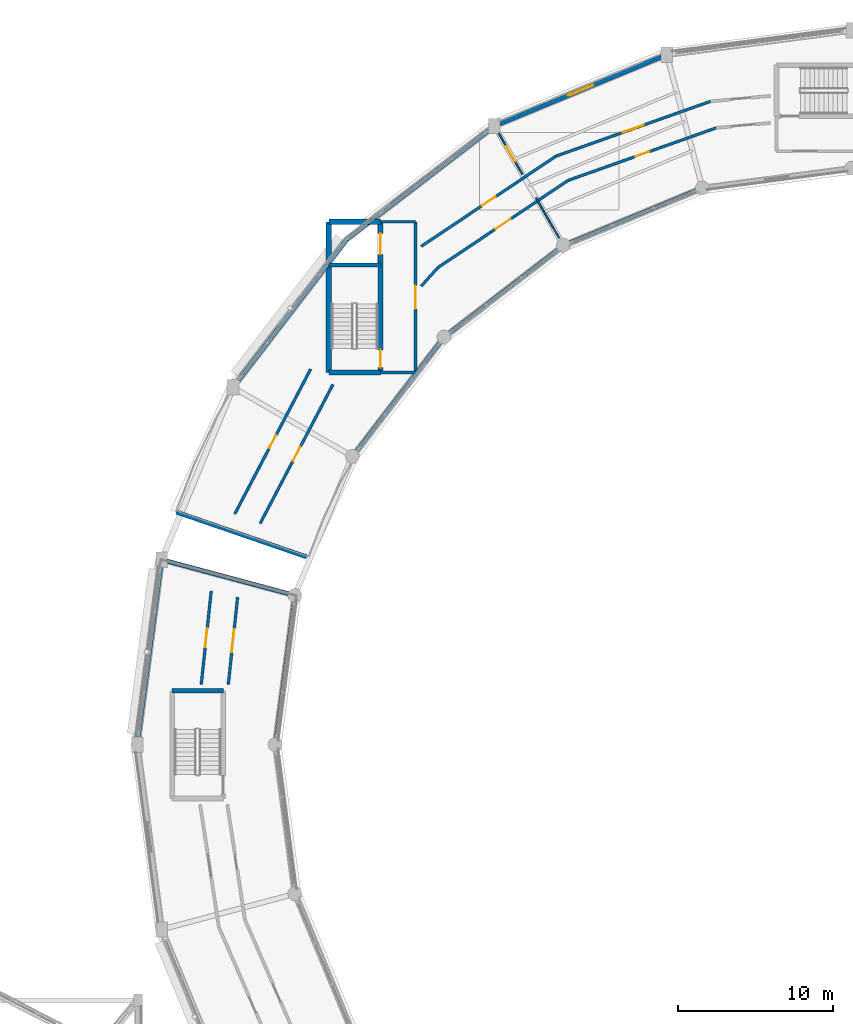
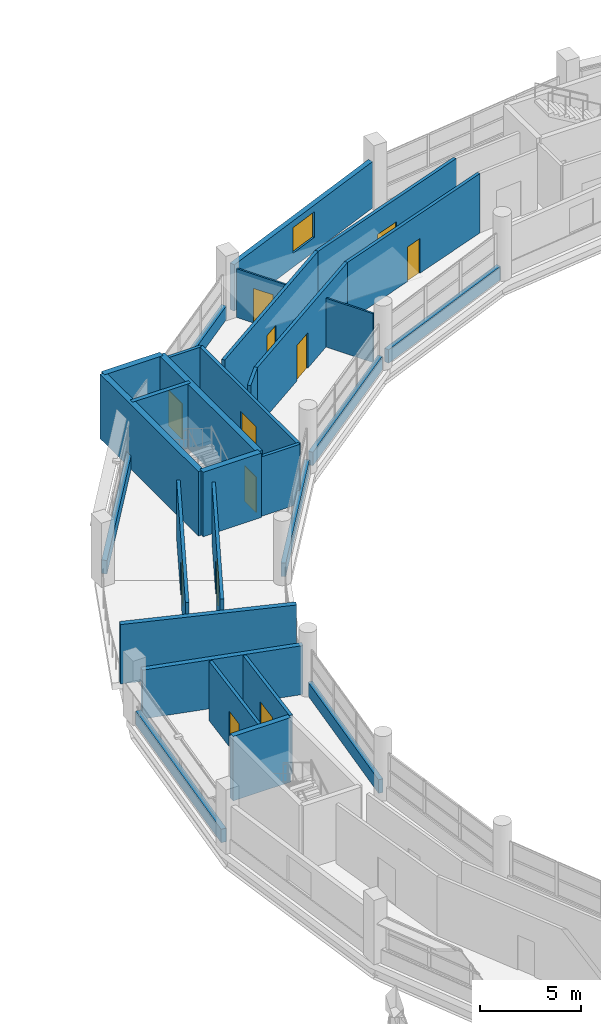
# One storey, part 93 of 108: 30 walls, 12 doors, 1 window, 13 openings.
"""IFC4 building model written with IfcOpenShell, lengths in metres."""

from ifc_helpers import new_model, si_unit, direction, frame, frame_2d, origin, place, context, subcontext, project, spatial, rectangle, extrude, material, layer, layer_set, type_object, element, fill, save


model = new_model("IFC4")

# Units and contexts
model_context = context("Model", 3, precision=1e-05, world=origin(), true_north=direction((0.0, 1.0)))
body_context = subcontext(model_context, "Body", "Model", "MODEL_VIEW")
ifc_project = project(units=[si_unit("LENGTHUNIT", "METRE"), si_unit("AREAUNIT", "SQUARE_METRE"), si_unit("VOLUMEUNIT", "CUBIC_METRE"), si_unit("PLANEANGLEUNIT", "RADIAN"), si_unit("MASSUNIT", "GRAM", prefix="KILO")], contexts=[model_context])

# Site, building, storey
site_placement = place(None, origin())
site = spatial("IfcSite", under=ifc_project, at=site_placement, CompositionType="ELEMENT")
building_placement = place(site_placement, origin())
building = spatial("IfcBuilding", under=site, at=building_placement, Name="Vespera Passage Community Centre", CompositionType="ELEMENT")
storey_placement = place(building_placement, frame((0.0, 0.0, 12.60009765625)))
storey = spatial("IfcBuildingStorey", under=building, at=storey_placement, Name="L03", CompositionType="ELEMENT", Elevation=12.60009765625)

# Wall
ifc_material_1 = material(Name="Concrete f'c 45 MPa", Category="concrete")
ifc_layer_1 = layer(ifc_material_1, 0.300048828125)
ifc_layer_set_1 = layer_set([ifc_layer_1], Name="Concrete f'c 45 MPa")
wall_type_1 = type_object("IfcWallType", Name="WT-CORE-300I", PredefinedType="SHEAR", material=ifc_layer_set_1)
wall_1_placement = place(storey_placement, frame((34.14990234375, 68.97509765625, 0.0), z_axis=(0.0, 0.0, 1.0), x_axis=(1.0, 0.0, 0.0)))
element("IfcWall", 1, at=wall_1_placement, inside=storey, type_object=wall_type_1, Name="Core C2 L03 Shear Wall RIGHT", PredefinedType="SHEAR", context=body_context, shape_type="SweptSolid", body=[
    extrude(rectangle(XDim=3.300048828125, YDim=0.300048828125, at=frame_2d((1.64990234375, 0.0))), origin(), (0.0, 0.0, 1.0), 3.89990234375),
])

# Wall, openings, doors
ifc_material_2 = material(Name="Concrete f'c 45 MPa", Category="concrete")
ifc_layer_2 = layer(ifc_material_2, 0.340087890625)
ifc_layer_set_2 = layer_set([ifc_layer_2], Name="Concrete f'c 45 MPa")
wall_type_2 = type_object("IfcWallType", Name="WT-CORE-340I", PredefinedType="SHEAR", material=ifc_layer_set_2)
wall_2_placement = place(storey_placement, frame((47.60302734375, 99.238037109375, 0.0), z_axis=(0.0, 0.0, 1.0), x_axis=(0.0, -1.0, 0.0)))
wall_2 = element("IfcWall", 2, at=wall_2_placement, inside=storey, type_object=wall_type_2, Name="Core C1 L03 Shear Wall FRONT", PredefinedType="SHEAR", context=body_context, shape_type="SweptSolid", body=[
    extrude(rectangle(XDim=9.72998046875, YDim=0.340087890625, at=frame_2d((4.864990234375, 0.0))), origin(), (0.0, 0.0, 1.0), 3.89990234375),
])
opening_1_placement = place(wall_2_placement, frame((8.264892578125, 0.0, 0.0)))
opening_1 = element("IfcOpeningElement", 3, at=opening_1_placement, cuts=wall_2, Name="Opening DT-STAIR-90", PredefinedType="OPENING", context=body_context, shape_type="SweptSolid", body=[
    extrude(rectangle(XDim=1.14990234375, YDim=2.14990234375, at=frame_2d((0.574951171875, 1.074951171875))), frame((0.0, 0.179931640625, 0.0), z_axis=(0.0, -1.0, 0.0), x_axis=(1.0, 0.0, 0.0)), (0.0, 0.0, 1.0), 0.360107421875),
])
opening_2_placement = place(wall_2_placement, frame((0.7451171875, 0.0, 0.0)))
opening_2 = element("IfcOpeningElement", 4, at=opening_2_placement, cuts=wall_2, Name="Opening DT-LIFT-135", PredefinedType="OPENING", context=body_context, shape_type="SweptSolid", body=[
    extrude(rectangle(XDim=1.35009765625, YDim=2.14990234375, at=frame_2d((0.675048828125, 1.074951171875))), frame((0.0, 0.179931640625, 0.0), z_axis=(0.0, -1.0, 0.0), x_axis=(1.0, 0.0, 0.0)), (0.0, 0.0, 1.0), 0.360107421875),
])
ifc_material_3 = material(Name="Painted hollow-metal acoustic door", Category="steel")
door_type_1 = type_object("IfcDoorType", Name="DT-LIFT-135", OperationType="NOTDEFINED", PredefinedType="DOOR", material=ifc_material_3)
door_1_placement = place(opening_2_placement, origin())
door_1 = element("IfcDoor", 5, at=door_1_placement, inside=storey, type_object=door_type_1, Name="Elevator EL-03 L03 Landing Door LD-005", OperationType="SLIDING_TO_LEFT", OverallHeight=2.14990234375, OverallWidth=1.35009765625, PredefinedType="DOOR", context=body_context, shape_type="SweptSolid", body=[
    extrude(rectangle(XDim=1.35009765625, YDim=2.14990234375, at=frame_2d((0.675048828125, 1.074951171875))), frame((0.0, 0.02490234375, 0.0), z_axis=(0.0, -1.0, 0.0), x_axis=(1.0, 0.0, 0.0)), (0.0, 0.0, 1.0), 0.050048828125),
])
fill(opening_2, door_1)
ifc_material_4 = material(Name="Painted hollow-metal acoustic door", Category="steel")
door_type_2 = type_object("IfcDoorType", Name="DT-STAIR-90", OperationType="NOTDEFINED", PredefinedType="DOOR", material=ifc_material_4)
door_2_placement = place(opening_1_placement, origin())
door_2 = element("IfcDoor", 6, at=door_2_placement, inside=storey, type_object=door_type_2, Name="Core C1 L03 Exit Stair Door D-056", OperationType="SINGLE_SWING_RIGHT", OverallHeight=2.14990234375, OverallWidth=1.14990234375, PredefinedType="DOOR", context=body_context, shape_type="SweptSolid", body=[
    extrude(rectangle(XDim=1.14990234375, YDim=2.14990234375, at=frame_2d((0.574951171875, 1.074951171875))), frame((0.0, 0.02490234375, 0.0), z_axis=(0.0, -1.0, 0.0), x_axis=(1.0, 0.0, 0.0)), (0.0, 0.0, 1.0), 0.050048828125),
])
fill(opening_1, door_2)

# Walls
wall_3_placement = place(storey_placement, frame((47.60302734375, 89.508056640625, 0.0), z_axis=(0.0, 0.0, 1.0), x_axis=(-1.0, 0.0, 0.0)))
element("IfcWall", 7, at=wall_3_placement, inside=storey, type_object=wall_type_2, Name="Core C1 L03 Shear Wall LEFT", PredefinedType="SHEAR", context=body_context, shape_type="SweptSolid", body=[
    extrude(rectangle(XDim=3.340087890625, YDim=0.340087890625, at=frame_2d((1.669921875, 0.0))), origin(), (0.0, 0.0, 1.0), 3.89990234375),
])
wall_4_placement = place(storey_placement, frame((44.262939453125, 89.508056640625, 0.0), z_axis=(0.0, 0.0, 1.0), x_axis=(0.0, 1.0, 0.0)))
element("IfcWall", 8, at=wall_4_placement, inside=storey, type_object=wall_type_2, Name="Core C1 L03 Shear Wall BACK", PredefinedType="SHEAR", context=body_context, shape_type="SweptSolid", body=[
    extrude(rectangle(XDim=9.72998046875, YDim=0.340087890625, at=frame_2d((4.864990234375, 0.0))), origin(), (0.0, 0.0, 1.0), 3.89990234375),
])
wall_5_placement = place(storey_placement, frame((44.262939453125, 99.238037109375, 0.0), z_axis=(0.0, 0.0, 1.0), x_axis=(1.0, 0.0, 0.0)))
element("IfcWall", 9, at=wall_5_placement, inside=storey, type_object=wall_type_2, Name="Core C1 L03 Shear Wall RIGHT", PredefinedType="SHEAR", context=body_context, shape_type="SweptSolid", body=[
    extrude(rectangle(XDim=3.340087890625, YDim=0.340087890625, at=frame_2d((1.669921875, 0.0))), origin(), (0.0, 0.0, 1.0), 3.89990234375),
])

# Wall, opening, door
ifc_material_5 = material(Name="Gypsum board acoustic stud partition")
ifc_layer_3 = layer(ifc_material_5, 0.179931640625)
ifc_layer_set_3 = layer_set([ifc_layer_3], Name="Gypsum board acoustic stud partition")
wall_type_3 = type_object("IfcWallType", Name="WT-CORR-180I", PredefinedType="PARTITIONING", material=ifc_layer_set_3)
wall_6_placement = place(storey_placement, frame((49.85302734375, 89.508056640625, 0.0), z_axis=(0.0, 0.0, 1.0), x_axis=(0.0, 1.0, 0.0)))
wall_6 = element("IfcWall", 10, at=wall_6_placement, inside=storey, type_object=wall_type_3, Name="Core C1 L03 Lift Lobby Front Wall", PredefinedType="PARTITIONING", context=body_context, shape_type="SweptSolid", body=[
    extrude(rectangle(XDim=9.72998046875, YDim=0.179931640625, at=frame_2d((4.864990234375, 0.0))), origin(), (0.0, 0.0, 1.0), 3.594970703125),
])
opening_3_placement = place(wall_6_placement, frame((4.114990234375, 0.0, 0.0)))
opening_3 = element("IfcOpeningElement", 11, at=opening_3_placement, cuts=wall_6, Name="Opening DT-CORR-150", PredefinedType="OPENING", context=body_context, shape_type="SweptSolid", body=[
    extrude(rectangle(XDim=1.5, YDim=2.14990234375, at=frame_2d((0.75, 1.074951171875))), frame((0.0, 0.099853515625, 0.0), z_axis=(0.0, -1.0, 0.0), x_axis=(1.0, 0.0, 0.0)), (0.0, 0.0, 1.0), 0.199951171875),
])
ifc_material_6 = material(Name="Painted hollow-metal acoustic door", Category="steel")
door_type_3 = type_object("IfcDoorType", Name="DT-CORR-150", OperationType="NOTDEFINED", PredefinedType="DOOR", material=ifc_material_6)
door_3_placement = place(opening_3_placement, origin())
door_3 = element("IfcDoor", 12, at=door_3_placement, inside=storey, type_object=door_type_3, Name="Core C1 L03 Lift Lobby Door D-057", OperationType="SINGLE_SWING_LEFT", OverallHeight=2.14990234375, OverallWidth=1.5, PredefinedType="DOOR", context=body_context, shape_type="SweptSolid", body=[
    extrude(rectangle(XDim=1.5, YDim=2.14990234375, at=frame_2d((0.75, 1.074951171875))), frame((0.0, 0.02490234375, 0.0), z_axis=(0.0, -1.0, 0.0), x_axis=(1.0, 0.0, 0.0)), (0.0, 0.0, 1.0), 0.050048828125),
])
fill(opening_3, door_3)

# Walls
for number, where, z_axis, x_axis, name in (
    (13, (47.60302734375, 89.508056640625, 0.0), (0.0, 0.0, 1.0), (1.0, 0.0, 0.0), "Core C1 L03 Lift Lobby Side Wall L"),
    (14, (47.60302734375, 99.238037109375, 0.0), (0.0, 0.0, 1.0), (1.0, 0.0, 0.0), "Core C1 L03 Lift Lobby Side Wall R"),
):
    element("IfcWall", number, at=place(storey_placement, frame(where, z_axis=z_axis, x_axis=x_axis)), inside=storey, type_object=wall_type_3, Name=name, PredefinedType="PARTITIONING", context=body_context, shape_type="SweptSolid", body=[
        extrude(rectangle(XDim=2.25, YDim=0.179931640625, at=frame_2d((1.125, 0.0))), origin(), (0.0, 0.0, 1.0), 3.594970703125),
    ])

# Wall, opening, door
wall_7_placement = place(storey_placement, frame((68.8818359375, 107.01025390625, 0.0), z_axis=(0.0, 0.0, 1.0), x_axis=(-0.942485767708, -0.334246282954, 0.0)))
wall_7 = element("IfcWall", 15, at=wall_7_placement, inside=storey, type_object=wall_type_3, Name="L03 Interior Partition V4-L03-CO06.1", PredefinedType="PARTITIONING", context=body_context, shape_type="SweptSolid", body=[
    extrude(rectangle(XDim=10.563232421875, YDim=0.179931640625, at=frame_2d((5.28173828125, 0.0))), origin(), (0.0, 0.0, 1.0), 3.594970703125),
])
opening_4_placement = place(wall_7_placement, frame((4.556640625, 0.0, 0.0)))
opening_4 = element("IfcOpeningElement", 16, at=opening_4_placement, cuts=wall_7, Name="Opening DT-PLANT-145", PredefinedType="OPENING", context=body_context, shape_type="SweptSolid", body=[
    extrude(rectangle(XDim=1.449951171875, YDim=2.199951171875, at=frame_2d((0.72509765625, 1.10009765625))), frame((0.0, 0.099853515625, 0.0), z_axis=(0.0, -1.0, 0.0), x_axis=(1.0, 0.0, 0.0)), (0.0, 0.0, 1.0), 0.199951171875),
])
ifc_material_7 = material(Name="Painted hollow-metal acoustic door", Category="steel")
door_type_4 = type_object("IfcDoorType", Name="DT-PLANT-145", OperationType="NOTDEFINED", PredefinedType="DOOR", material=ifc_material_7)
door_4_placement = place(opening_4_placement, origin())
door_4 = element("IfcDoor", 17, at=door_4_placement, inside=storey, type_object=door_type_4, Name="L03 Interior Door D-232", OperationType="SINGLE_SWING_RIGHT", OverallHeight=2.199951171875, OverallWidth=1.449951171875, PredefinedType="DOOR", context=body_context, shape_type="SweptSolid", body=[
    extrude(rectangle(XDim=1.449951171875, YDim=2.199951171875, at=frame_2d((0.72509765625, 1.10009765625))), frame((0.0, 0.02490234375, 0.0), z_axis=(0.0, -1.0, 0.0), x_axis=(1.0, 0.0, 0.0)), (0.0, 0.0, 1.0), 0.050048828125),
])
fill(opening_4, door_4)

wall_8_placement = place(storey_placement, frame((69.25732421875, 105.301025390625, 0.0), z_axis=(0.0, 0.0, 1.0), x_axis=(-0.942482379954, -0.334255835366, 0.0)))
wall_8 = element("IfcWall", 18, at=wall_8_placement, inside=storey, type_object=wall_type_3, Name="L03 Interior Partition V4-L03-CI06.1", PredefinedType="PARTITIONING", context=body_context, shape_type="SweptSolid", body=[
    extrude(rectangle(XDim=10.12841796875, YDim=0.179931640625, at=frame_2d((5.064208984375, 0.0))), origin(), (0.0, 0.0, 1.0), 3.594970703125),
])
opening_5_placement = place(wall_8_placement, frame((4.589111328125, 0.0, 0.0)))
opening_5 = element("IfcOpeningElement", 19, at=opening_5_placement, cuts=wall_8, Name="Opening DT-CORR-95", PredefinedType="OPENING", context=body_context, shape_type="SweptSolid", body=[
    extrude(rectangle(XDim=0.949951171875, YDim=2.10009765625, at=frame_2d((0.47509765625, 1.050048828125))), frame((0.0, 0.099853515625, 0.0), z_axis=(0.0, -1.0, 0.0), x_axis=(1.0, 0.0, 0.0)), (0.0, 0.0, 1.0), 0.199951171875),
])
ifc_material_8 = material(Name="Painted hollow-metal acoustic door", Category="steel")
door_type_5 = type_object("IfcDoorType", Name="DT-CORR-95", OperationType="NOTDEFINED", PredefinedType="DOOR", material=ifc_material_8)
door_5_placement = place(opening_5_placement, origin())
door_5 = element("IfcDoor", 20, at=door_5_placement, inside=storey, type_object=door_type_5, Name="L03 Interior Door D-233", OperationType="SINGLE_SWING_LEFT", OverallHeight=2.10009765625, OverallWidth=0.949951171875, PredefinedType="DOOR", context=body_context, shape_type="SweptSolid", body=[
    extrude(rectangle(XDim=0.949951171875, YDim=2.10009765625, at=frame_2d((0.47509765625, 1.050048828125))), frame((0.0, 0.02490234375, 0.0), z_axis=(0.0, -1.0, 0.0), x_axis=(1.0, 0.0, 0.0)), (0.0, 0.0, 1.0), 0.050048828125),
])
fill(opening_5, door_5)

wall_9_placement = place(storey_placement, frame((58.926025390625, 103.4794921875, 0.0), z_axis=(0.0, 0.0, 1.0), x_axis=(-0.83093334765, -0.556371972482, 0.0)))
wall_9 = element("IfcWall", 21, at=wall_9_placement, inside=storey, type_object=wall_type_3, Name="L03 Interior Partition V4-L03-CO07.1", PredefinedType="PARTITIONING", context=body_context, shape_type="SweptSolid", body=[
    extrude(rectangle(XDim=10.473876953125, YDim=0.179931640625, at=frame_2d((5.23681640625, 0.0))), origin(), (0.0, 0.0, 1.0), 3.594970703125),
])
opening_6_placement = place(wall_9_placement, frame((4.7119140625, 0.0, 0.0)))
opening_6 = element("IfcOpeningElement", 22, at=opening_6_placement, cuts=wall_9, Name="Opening DT-CORR-105", PredefinedType="OPENING", context=body_context, shape_type="SweptSolid", body=[
    extrude(rectangle(XDim=1.050048828125, YDim=2.10009765625, at=frame_2d((0.52490234375, 1.050048828125))), frame((0.0, 0.099853515625, 0.0), z_axis=(0.0, -1.0, 0.0), x_axis=(1.0, 0.0, 0.0)), (0.0, 0.0, 1.0), 0.199951171875),
])
ifc_material_9 = material(Name="Painted hollow-metal acoustic door", Category="steel")
door_type_6 = type_object("IfcDoorType", Name="DT-CORR-105", OperationType="NOTDEFINED", PredefinedType="DOOR", material=ifc_material_9)
door_6_placement = place(opening_6_placement, origin())
door_6 = element("IfcDoor", 23, at=door_6_placement, inside=storey, type_object=door_type_6, Name="L03 Interior Door D-234", OperationType="SINGLE_SWING_RIGHT", OverallHeight=2.10009765625, OverallWidth=1.050048828125, PredefinedType="DOOR", context=body_context, shape_type="SweptSolid", body=[
    extrude(rectangle(XDim=1.050048828125, YDim=2.10009765625, at=frame_2d((0.52490234375, 1.050048828125))), frame((0.0, 0.02490234375, 0.0), z_axis=(0.0, -1.0, 0.0), x_axis=(1.0, 0.0, 0.0)), (0.0, 0.0, 1.0), 0.050048828125),
])
fill(opening_6, door_6)

wall_10_placement = place(storey_placement, frame((59.71142578125, 101.91552734375, 0.0), z_axis=(0.0, 0.0, 1.0), x_axis=(-0.830928668574, -0.556378960549, 0.0)))
wall_10 = element("IfcWall", 24, at=wall_10_placement, inside=storey, type_object=wall_type_3, Name="L03 Interior Partition V4-L03-CI07.1", PredefinedType="PARTITIONING", context=body_context, shape_type="SweptSolid", body=[
    extrude(rectangle(XDim=10.12841796875, YDim=0.179931640625, at=frame_2d((5.064208984375, 0.0))), origin(), (0.0, 0.0, 1.0), 3.594970703125),
])
opening_7_placement = place(wall_10_placement, frame((4.464111328125, 0.0, 0.0)))
opening_7 = element("IfcOpeningElement", 25, at=opening_7_placement, cuts=wall_10, Name="Opening DT-CORR-120", PredefinedType="OPENING", context=body_context, shape_type="SweptSolid", body=[
    extrude(rectangle(XDim=1.199951171875, YDim=2.14990234375, at=frame_2d((0.60009765625, 1.074951171875))), frame((0.0, 0.099853515625, 0.0), z_axis=(0.0, -1.0, 0.0), x_axis=(1.0, 0.0, 0.0)), (0.0, 0.0, 1.0), 0.199951171875),
])
ifc_material_10 = material(Name="Painted hollow-metal acoustic door", Category="steel")
door_type_7 = type_object("IfcDoorType", Name="DT-CORR-120", OperationType="NOTDEFINED", PredefinedType="DOOR", material=ifc_material_10)
door_7_placement = place(opening_7_placement, origin())
door_7 = element("IfcDoor", 26, at=door_7_placement, inside=storey, type_object=door_type_7, Name="L03 Interior Door D-235", OperationType="SINGLE_SWING_LEFT", OverallHeight=2.14990234375, OverallWidth=1.199951171875, PredefinedType="DOOR", context=body_context, shape_type="SweptSolid", body=[
    extrude(rectangle(XDim=1.199951171875, YDim=2.14990234375, at=frame_2d((0.60009765625, 1.074951171875))), frame((0.0, 0.02490234375, 0.0), z_axis=(0.0, -1.0, 0.0), x_axis=(1.0, 0.0, 0.0)), (0.0, 0.0, 1.0), 0.050048828125),
])
fill(opening_7, door_7)

# Wall
wall_11_placement = place(storey_placement, frame((51.29541015625, 96.2802734375, 0.0), z_axis=(0.0, 0.0, 1.0), x_axis=(-0.668065235736, -0.744102708503, 0.0)))
element("IfcWall", 27, at=wall_11_placement, inside=storey, type_object=wall_type_3, Name="L03 Interior Partition V4-L03-CI08.1", PredefinedType="PARTITIONING", context=body_context, shape_type="SweptSolid", body=[
    extrude(rectangle(XDim=1.60546875, YDim=0.179931640625, at=frame_2d((0.802734375, 0.0))), origin(), (0.0, 0.0, 1.0), 3.594970703125),
])

# Wall, opening, door
wall_12_placement = place(storey_placement, frame((43.091796875, 89.74169921875, 0.0), z_axis=(0.0, 0.0, 1.0), x_axis=(-0.463905084728, -0.885884909208, 0.0)))
wall_12 = element("IfcWall", 28, at=wall_12_placement, inside=storey, type_object=wall_type_3, Name="L03 Interior Partition V4-L03-CO09.1", PredefinedType="PARTITIONING", context=body_context, shape_type="SweptSolid", body=[
    extrude(rectangle(XDim=10.563232421875, YDim=0.179931640625, at=frame_2d((5.28173828125, 0.0))), origin(), (0.0, 0.0, 1.0), 3.594970703125),
])
opening_8_placement = place(wall_12_placement, frame((4.806640625, 0.0, 0.0)))
opening_8 = element("IfcOpeningElement", 29, at=opening_8_placement, cuts=wall_12, Name="Opening DT-CORR-95", PredefinedType="OPENING", context=body_context, shape_type="SweptSolid", body=[
    extrude(rectangle(XDim=0.949951171875, YDim=2.10009765625, at=frame_2d((0.47509765625, 1.050048828125))), frame((0.0, 0.099853515625, 0.0), z_axis=(0.0, -1.0, 0.0), x_axis=(1.0, 0.0, 0.0)), (0.0, 0.0, 1.0), 0.199951171875),
])
door_8_placement = place(opening_8_placement, origin())
door_8 = element("IfcDoor", 30, at=door_8_placement, inside=storey, type_object=door_type_5, Name="L03 Interior Door D-236", OperationType="SINGLE_SWING_RIGHT", OverallHeight=2.10009765625, OverallWidth=0.949951171875, PredefinedType="DOOR", context=body_context, shape_type="SweptSolid", body=[
    extrude(rectangle(XDim=0.949951171875, YDim=2.10009765625, at=frame_2d((0.47509765625, 1.050048828125))), frame((0.0, 0.02490234375, 0.0), z_axis=(0.0, -1.0, 0.0), x_axis=(1.0, 0.0, 0.0)), (0.0, 0.0, 1.0), 0.050048828125),
])
fill(opening_8, door_8)

wall_13_placement = place(storey_placement, frame((44.529296875, 88.74365234375, 0.0), z_axis=(0.0, 0.0, 1.0), x_axis=(-0.463911518327, -0.885881540141, 0.0)))
wall_13 = element("IfcWall", 31, at=wall_13_placement, inside=storey, type_object=wall_type_3, Name="L03 Interior Partition V4-L03-CI09.1", PredefinedType="PARTITIONING", context=body_context, shape_type="SweptSolid", body=[
    extrude(rectangle(XDim=10.12841796875, YDim=0.179931640625, at=frame_2d((5.064208984375, 0.0))), origin(), (0.0, 0.0, 1.0), 3.594970703125),
])
opening_9_placement = place(wall_13_placement, frame((4.539306640625, 0.0, 0.0)))
opening_9 = element("IfcOpeningElement", 32, at=opening_9_placement, cuts=wall_13, Name="Opening DT-CORR-105", PredefinedType="OPENING", context=body_context, shape_type="SweptSolid", body=[
    extrude(rectangle(XDim=1.050048828125, YDim=2.10009765625, at=frame_2d((0.52490234375, 1.050048828125))), frame((0.0, 0.099853515625, 0.0), z_axis=(0.0, -1.0, 0.0), x_axis=(1.0, 0.0, 0.0)), (0.0, 0.0, 1.0), 0.199951171875),
])
door_9_placement = place(opening_9_placement, origin())
door_9 = element("IfcDoor", 33, at=door_9_placement, inside=storey, type_object=door_type_6, Name="L03 Interior Door D-237", OperationType="SINGLE_SWING_LEFT", OverallHeight=2.10009765625, OverallWidth=1.050048828125, PredefinedType="DOOR", context=body_context, shape_type="SweptSolid", body=[
    extrude(rectangle(XDim=1.050048828125, YDim=2.10009765625, at=frame_2d((0.52490234375, 1.050048828125))), frame((0.0, 0.02490234375, 0.0), z_axis=(0.0, -1.0, 0.0), x_axis=(1.0, 0.0, 0.0)), (0.0, 0.0, 1.0), 0.050048828125),
])
fill(opening_9, door_9)

wall_14_placement = place(storey_placement, frame((36.67431640625, 75.42138671875, 0.0), z_axis=(0.0, 0.0, 1.0), x_axis=(-0.106354502234, -0.994328275699, 0.0)))
wall_14 = element("IfcWall", 34, at=wall_14_placement, inside=storey, type_object=wall_type_3, Name="L03 Interior Partition V4-L03-CO10.1", PredefinedType="PARTITIONING", context=body_context, shape_type="SweptSolid", body=[
    extrude(rectangle(XDim=6.080810546875, YDim=0.179931640625, at=frame_2d((3.04052734375, 0.0))), origin(), (0.0, 0.0, 1.0), 3.594970703125),
])
opening_10_placement = place(wall_14_placement, frame((2.4404296875, 0.0, 0.0)))
opening_10 = element("IfcOpeningElement", 35, at=opening_10_placement, cuts=wall_14, Name="Opening DT-CORR-120", PredefinedType="OPENING", context=body_context, shape_type="SweptSolid", body=[
    extrude(rectangle(XDim=1.199951171875, YDim=2.14990234375, at=frame_2d((0.60009765625, 1.074951171875))), frame((0.0, 0.099853515625, 0.0), z_axis=(0.0, -1.0, 0.0), x_axis=(1.0, 0.0, 0.0)), (0.0, 0.0, 1.0), 0.199951171875),
])
door_10_placement = place(opening_10_placement, origin())
door_10 = element("IfcDoor", 36, at=door_10_placement, inside=storey, type_object=door_type_7, Name="L03 Interior Door D-239", OperationType="SINGLE_SWING_LEFT", OverallHeight=2.14990234375, OverallWidth=1.199951171875, PredefinedType="DOOR", context=body_context, shape_type="SweptSolid", body=[
    extrude(rectangle(XDim=1.199951171875, YDim=2.14990234375, at=frame_2d((0.60009765625, 1.074951171875))), frame((0.0, 0.02490234375, 0.0), z_axis=(0.0, -1.0, 0.0), x_axis=(1.0, 0.0, 0.0)), (0.0, 0.0, 1.0), 0.050048828125),
])
fill(opening_10, door_10)

wall_15_placement = place(storey_placement, frame((38.3759765625, 75.012939453125, 0.0), z_axis=(0.0, 0.0, 1.0), x_axis=(-0.10635220405, -0.994328521513, 0.0)))
wall_15 = element("IfcWall", 37, at=wall_15_placement, inside=storey, type_object=wall_type_3, Name="L03 Interior Partition V4-L03-CI10.1", PredefinedType="PARTITIONING", context=body_context, shape_type="SweptSolid", body=[
    extrude(rectangle(XDim=5.670166015625, YDim=0.179931640625, at=frame_2d((2.8349609375, 0.0))), origin(), (0.0, 0.0, 1.0), 3.594970703125),
])
opening_11_placement = place(wall_15_placement, frame((2.0849609375, 0.0, 0.0)))
opening_11 = element("IfcOpeningElement", 38, at=opening_11_placement, cuts=wall_15, Name="Opening DT-CORR-150", PredefinedType="OPENING", context=body_context, shape_type="SweptSolid", body=[
    extrude(rectangle(XDim=1.5, YDim=2.14990234375, at=frame_2d((0.75, 1.074951171875))), frame((0.0, 0.099853515625, 0.0), z_axis=(0.0, -1.0, 0.0), x_axis=(1.0, 0.0, 0.0)), (0.0, 0.0, 1.0), 0.199951171875),
])
door_11_placement = place(opening_11_placement, origin())
door_11 = element("IfcDoor", 39, at=door_11_placement, inside=storey, type_object=door_type_3, Name="L03 Interior Door D-240", OperationType="SINGLE_SWING_RIGHT", OverallHeight=2.14990234375, OverallWidth=1.5, PredefinedType="DOOR", context=body_context, shape_type="SweptSolid", body=[
    extrude(rectangle(XDim=1.5, YDim=2.14990234375, at=frame_2d((0.75, 1.074951171875))), frame((0.0, 0.02490234375, 0.0), z_axis=(0.0, -1.0, 0.0), x_axis=(1.0, 0.0, 0.0)), (0.0, 0.0, 1.0), 0.050048828125),
])
fill(opening_11, door_11)

# Walls
ifc_material_11 = material(Name="Concrete f'c 45 MPa", Category="concrete")
ifc_layer_4 = layer(ifc_material_11, 0.239990234375)
ifc_layer_set_4 = layer_set([ifc_layer_4], Name="Concrete f'c 45 MPa")
wall_type_4 = type_object("IfcWallType", Name="WT-DIV-240I", PredefinedType="SHEAR", material=ifc_layer_set_4)
wall_16_placement = place(storey_placement, frame((47.60302734375, 96.447998046875, 0.0), z_axis=(0.0, 0.0, 1.0), x_axis=(-1.0, 0.0, 0.0)))
element("IfcWall", 40, at=wall_16_placement, inside=storey, type_object=wall_type_4, Name="Core C1 L03 Hoistway Divider Wall", PredefinedType="SHEAR", context=body_context, shape_type="SweptSolid", body=[
    extrude(rectangle(XDim=3.340087890625, YDim=0.239990234375, at=frame_2d((1.669921875, 0.0))), origin(), (0.0, 0.0, 1.0), 3.89990234375),
])
ifc_material_12 = material(Name="Precast concrete f'c 40 MPa", Category="concrete")
ifc_layer_5 = layer(ifc_material_12, 0.25)
ifc_layer_set_5 = layer_set([ifc_layer_5], Name="Precast concrete f'c 40 MPa")
wall_type_5 = type_object("IfcWallType", Name="WT-EXT-250E", PredefinedType="STANDARD", material=ifc_layer_set_5)
wall_17_placement = place(storey_placement, frame((68.094970703125, 101.317626953125, 0.0), z_axis=(0.0, 0.0, 1.0), x_axis=(-0.923880324771, -0.382681519675, 0.0)))
element("IfcWall", 41, at=wall_17_placement, inside=storey, type_object=wall_type_5, Name="V4 L03 Court Spandrel Wall I7", PredefinedType="STANDARD", context=body_context, shape_type="SweptSolid", body=[
    extrude(rectangle(XDim=9.111572265625, YDim=0.25, at=frame_2d((4.5556640625, 0.0))), origin(), (0.0, 0.0, 1.0), 0.81982421875),
])
for number, where, z_axis, x_axis, name in (
    (42, (59.119873046875, 97.501220703125, 0.0), (0.0, 0.0, 1.0), (-0.793347085527, -0.608769580289, 0.0), "V4 L03 Court Spandrel Wall I8"),
    (43, (51.480712890625, 91.524169921875, 0.0), (0.0, 0.0, 1.0), (-0.608769580289, -0.793347085527, 0.0), "V4 L03 Court Spandrel Wall I9"),
):
    element("IfcWall", number, at=place(storey_placement, frame(where, z_axis=z_axis, x_axis=x_axis)), inside=storey, type_object=wall_type_5, Name=name, PredefinedType="STANDARD", context=body_context, shape_type="SweptSolid", body=[
        extrude(rectangle(XDim=9.0048828125, YDim=0.25, at=frame_2d((4.50244140625, 0.0))), origin(), (0.0, 0.0, 1.0), 0.81982421875),
    ])
wall_18_placement = place(storey_placement, frame((42.031494140625, 74.852783203125, 0.0), z_axis=(0.0, 0.0, 1.0), x_axis=(-0.130549698469, -0.991441766434, 0.0)))
element("IfcWall", 44, at=wall_18_placement, inside=storey, type_object=wall_type_5, Name="V4 L03 Court Spandrel Wall I11", PredefinedType="STANDARD", context=body_context, shape_type="SweptSolid", body=[
    extrude(rectangle(XDim=9.156005859375, YDim=0.25, at=frame_2d((4.578125, 0.0))), origin(), (0.0, 0.0, 1.0), 0.81982421875),
])

# Wall, opening, window
ifc_material_13 = material(Name="Precast concrete f'c 40 MPa", Category="concrete")
ifc_layer_6 = layer(ifc_material_13, 0.280029296875)
ifc_layer_set_6 = layer_set([ifc_layer_6], Name="Precast concrete f'c 40 MPa")
wall_type_6 = type_object("IfcWallType", Name="WT-EXT-280E", PredefinedType="STANDARD", material=ifc_layer_set_6)
wall_19_placement = place(storey_placement, frame((55.302001953125, 105.569580078125, 0.0), z_axis=(0.0, 0.0, 1.0), x_axis=(0.923883530636, 0.382673779896, 0.0)))
wall_19 = element("IfcWall", 45, at=wall_19_placement, inside=storey, type_object=wall_type_6, Name="V4 L03 Outer Precast Wall 7", PredefinedType="STANDARD", context=body_context, shape_type="SweptSolid", body=[
    extrude(rectangle(XDim=11.2724609375, YDim=0.280029296875, at=frame_2d((5.63623046875, 0.0))), origin(), (0.0, 0.0, 1.0), 2.805419921875),
])
opening_12_placement = place(wall_19_placement, frame((4.761474609375, 0.0, 0.85009765625)))
opening_12 = element("IfcOpeningElement", 46, at=opening_12_placement, cuts=wall_19, Name="Opening WN-11E", PredefinedType="OPENING", context=body_context, shape_type="SweptSolid", body=[
    extrude(rectangle(XDim=1.75, YDim=1.550048828125, at=frame_2d((0.875, 0.77490234375))), frame((0.0, 0.150146484375, 0.0), z_axis=(0.0, -1.0, 0.0), x_axis=(1.0, 0.0, 0.0)), (0.0, 0.0, 1.0), 0.300048828125),
])
ifc_material_14 = material(Name="Low-E insulated vision glass", Category="glass")
window_type = type_object("IfcWindowType", Name="WN-11E", PartitioningType="SINGLE_PANEL", PredefinedType="WINDOW", material=ifc_material_14)
window_placement = place(opening_12_placement, origin())
window = element("IfcWindow", 47, at=window_placement, inside=storey, type_object=window_type, Name="Window WN-V4-L03-O07", OverallHeight=1.550048828125, OverallWidth=1.75, PartitioningType="SINGLE_PANEL", PredefinedType="WINDOW", context=body_context, shape_type="SweptSolid", body=[
    extrude(rectangle(XDim=1.75, YDim=1.550048828125, at=frame_2d((0.875, 0.77490234375))), frame((0.0, 0.030029296875, 0.0), z_axis=(0.0, -1.0, 0.0), x_axis=(1.0, 0.0, 0.0)), (0.0, 0.0, 1.0), 0.06005859375),
])
fill(opening_12, window)

# Walls
wall_20_placement = place(storey_placement, frame((45.40234375, 98.09765625, 0.0), z_axis=(0.0, 0.0, 1.0), x_axis=(0.793347191248, 0.608769442514, 0.0)))
element("IfcWall", 48, at=wall_20_placement, inside=storey, type_object=wall_type_6, Name="V4 L03 Spandrel Wall O8", PredefinedType="STANDARD", context=body_context, shape_type="SweptSolid", body=[
    extrude(rectangle(XDim=11.5869140625, YDim=0.280029296875, at=frame_2d((5.79345703125, 0.0))), origin(), (0.0, 0.0, 1.0), 0.81982421875),
])
wall_21_placement = place(storey_placement, frame((38.43603515625, 89.018798828125, 0.0), z_axis=(0.0, 0.0, 1.0), x_axis=(0.608753523874, 0.793359406052, 0.0)))
element("IfcWall", 49, at=wall_21_placement, inside=storey, type_object=wall_type_6, Name="V4 L03 Spandrel Wall O9", PredefinedType="STANDARD", context=body_context, shape_type="SweptSolid", body=[
    extrude(rectangle(XDim=11.443603515625, YDim=0.280029296875, at=frame_2d((5.7216796875, 0.0))), origin(), (0.0, 0.0, 1.0), 0.81982421875),
])
wall_22_placement = place(storey_placement, frame((31.962646484375, 65.97509765625, 0.0), z_axis=(0.0, 0.0, 1.0), x_axis=(0.130513242145, 0.991446566197, 0.0)))
element("IfcWall", 50, at=wall_22_placement, inside=storey, type_object=wall_type_6, Name="V4 L03 Spandrel Wall O11", PredefinedType="STANDARD", context=body_context, shape_type="SweptSolid", body=[
    extrude(rectangle(XDim=11.075927734375, YDim=0.280029296875, at=frame_2d((5.5380859375, 0.0))), origin(), (0.0, 0.0, 1.0), 0.81982421875),
])
wall_23_placement = place(storey_placement, frame((42.82666015625, 77.611083984375, 0.0), z_axis=(0.0, 0.0, 1.0), x_axis=(-0.945512530801, 0.325585709298, 0.0)))
element("IfcWall", 51, at=wall_23_placement, inside=storey, type_object=wall_type_6, Name="V4 L03 Radial End Facade Wall SLOT1", PredefinedType="STANDARD", context=body_context, shape_type="SweptSolid", body=[
    extrude(rectangle(XDim=8.89990234375, YDim=0.280029296875, at=frame_2d((4.449951171875, 0.0))), origin(), (0.0, 0.0, 1.0), 3.58984375),
])
wall_24_placement = place(storey_placement, frame((33.82177734375, 77.337646484375, 0.0), z_axis=(0.0, 0.0, 1.0), x_axis=(0.965919918576, -0.258841091981, 0.0)))
element("IfcWall", 52, at=wall_24_placement, inside=storey, type_object=wall_type_6, Name="V4 L03 Radial End Facade Wall SLOT2", PredefinedType="STANDARD", context=body_context, shape_type="SweptSolid", body=[
    extrude(rectangle(XDim=8.251220703125, YDim=0.280029296875, at=frame_2d((4.12548828125, 0.0))), origin(), (0.0, 0.0, 1.0), 2.95654296875),
])

# Wall, opening, door
ifc_material_15 = material(Name="Gypsum board stud partition")
ifc_layer_7 = layer(ifc_material_15, 0.10009765625)
ifc_layer_set_7 = layer_set([ifc_layer_7], Name="Gypsum board stud partition")
wall_type_7 = type_object("IfcWallType", Name="WT-LIGHT-100I", PredefinedType="PARTITIONING", material=ifc_layer_set_7)
wall_25_placement = place(storey_placement, frame((56.75, 102.30615234375, 0.0), z_axis=(0.0, 0.0, 1.0), x_axis=(-0.499978833458, 0.866037623948, 0.0)))
wall_25 = element("IfcWall", 53, at=wall_25_placement, inside=storey, type_object=wall_type_7, Name="L03 Interior Partition V4-L03-RO09-2.1", PredefinedType="PARTITIONING", context=body_context, shape_type="SweptSolid", body=[
    extrude(rectangle(XDim=3.050048828125, YDim=0.10009765625, at=frame_2d((1.52490234375, 0.0))), origin(), (0.0, 0.0, 1.0), 2.95654296875),
])
opening_13_placement = place(wall_25_placement, frame((0.965087890625, 0.0, 0.0)))
opening_13 = element("IfcOpeningElement", 54, at=opening_13_placement, cuts=wall_25, Name="Opening DT-INT-112", PredefinedType="OPENING", context=body_context, shape_type="SweptSolid", body=[
    extrude(rectangle(XDim=1.1201171875, YDim=2.10009765625, at=frame_2d((0.56005859375, 1.050048828125))), frame((0.0, 0.06005859375, 0.0), z_axis=(0.0, -1.0, 0.0), x_axis=(1.0, 0.0, 0.0)), (0.0, 0.0, 1.0), 0.1201171875),
])
ifc_material_16 = material(Name="Solid-core maple veneer door", Category="wood")
door_type_8 = type_object("IfcDoorType", Name="DT-INT-112", OperationType="NOTDEFINED", PredefinedType="DOOR", material=ifc_material_16)
door_12_placement = place(opening_13_placement, origin())
door_12 = element("IfcDoor", 55, at=door_12_placement, inside=storey, type_object=door_type_8, Name="L03 Interior Door D-238", OperationType="SINGLE_SWING_RIGHT", OverallHeight=2.10009765625, OverallWidth=1.1201171875, PredefinedType="DOOR", context=body_context, shape_type="SweptSolid", body=[
    extrude(rectangle(XDim=1.1201171875, YDim=2.10009765625, at=frame_2d((0.56005859375, 1.050048828125))), frame((0.0, 0.02490234375, 0.0), z_axis=(0.0, -1.0, 0.0), x_axis=(1.0, 0.0, 0.0)), (0.0, 0.0, 1.0), 0.050048828125),
])
fill(opening_13, door_12)

# Wall
wall_26_placement = place(storey_placement, frame((59.125, 98.1923828125, 0.0), z_axis=(0.0, 0.0, 1.0), x_axis=(-0.499990139034, 0.866031096941, 0.0)))
element("IfcWall", 56, at=wall_26_placement, inside=storey, type_object=wall_type_7, Name="L03 Interior Partition V4-L03-RI09-2.1", PredefinedType="PARTITIONING", context=body_context, shape_type="SweptSolid", body=[
    extrude(rectangle(XDim=3.0, YDim=0.10009765625, at=frame_2d((1.5, 0.0))), origin(), (0.0, 0.0, 1.0), 2.95654296875),
])

save(model, "model.ifc")
